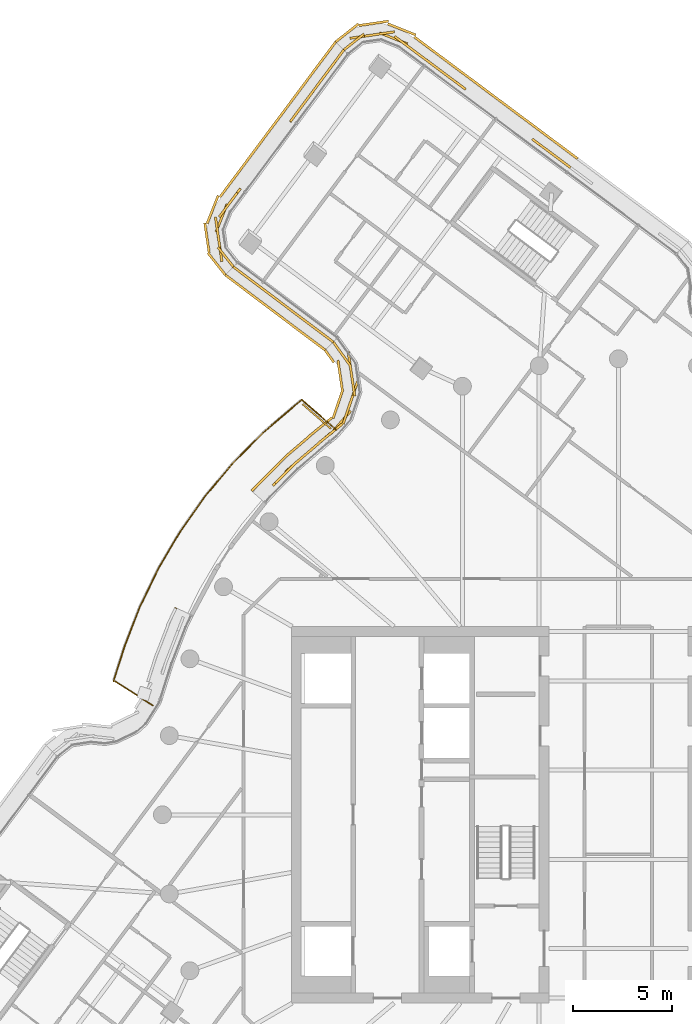
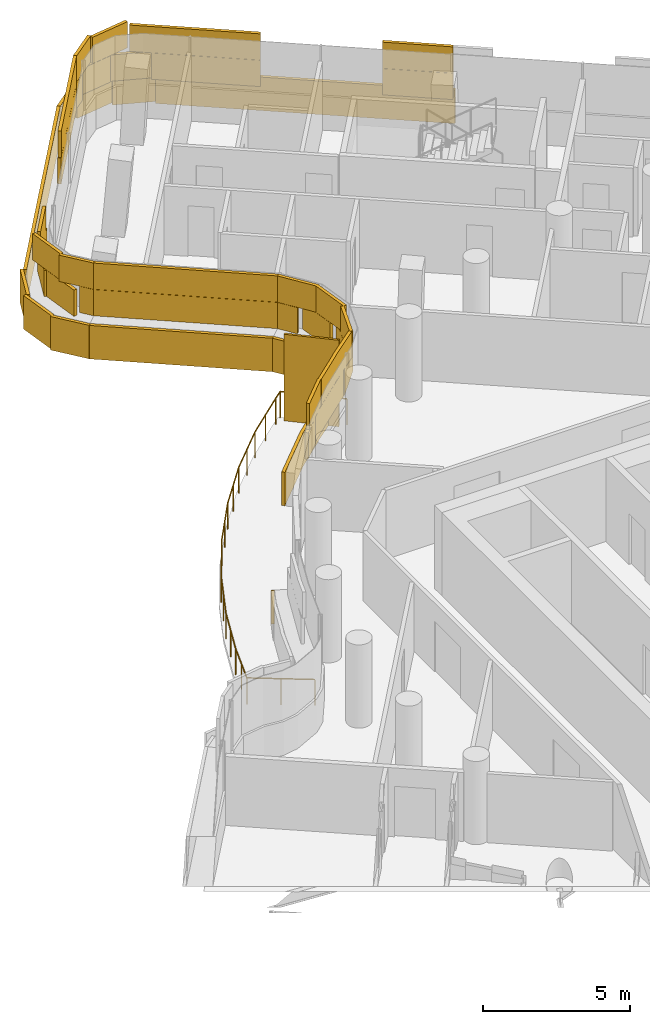
# One storey, part 25 of 27: 4 coverings, 1 railing, 1 shading device.
"""IFC4 building model written with IfcOpenShell, lengths in metres."""

from ifc_helpers import new_model, si_unit, direction, frame, origin, origin_2d, place, context, subcontext, project, spatial, rectangle, circle, extrude, material, layer, layer_set, type_object, element, save


model = new_model("IFC4")

# Units and contexts
model_context = context("Model", 3, precision=1e-05, world=origin(), true_north=direction((0.0, 1.0)))
body_context = subcontext(model_context, "Body", "Model", "MODEL_VIEW")
ifc_project = project(units=[si_unit("LENGTHUNIT", "METRE"), si_unit("AREAUNIT", "SQUARE_METRE"), si_unit("VOLUMEUNIT", "CUBIC_METRE"), si_unit("PLANEANGLEUNIT", "RADIAN"), si_unit("MASSUNIT", "GRAM", prefix="KILO")], contexts=[model_context])

# Site, building, storey
site_placement = place(None, origin())
site = spatial("IfcSite", under=ifc_project, at=site_placement, CompositionType="ELEMENT")
building_placement = place(site_placement, origin())
building = spatial("IfcBuilding", under=site, at=building_placement, Name="Tamarind Cross Interchange Tower", CompositionType="ELEMENT")
storey_placement = place(building_placement, frame((0.0, 0.0, 227.10009765625)))
storey = spatial("IfcBuildingStorey", under=building, at=storey_placement, Name="L57", CompositionType="ELEMENT", Elevation=227.10009765625)

# Railing
ifc_material_1 = material(Name="Stainless steel and laminated glass", Category="steel")
railing_type = type_object("IfcRailingType", Name="Balcony guard", PredefinedType="BALUSTRADE", material=ifc_material_1)
railing_placement = place(storey_placement, frame((-14.216796875, 19.411376953125, 0.0)))
element("IfcRailing", 1, at=railing_placement, inside=storey, type_object=railing_type, Name="Balcony guard 06", PredefinedType="BALUSTRADE", context=body_context, shape_type="SweptSolid", body=[
    extrude(circle(Radius=0.02490234375, at=origin_2d()), frame((0.0, 0.0, 1.0751953125), z_axis=(-0.754639504436, 0.656139633267, 0.0), x_axis=(-0.656139633267, -0.754639504436, 0.0)), (0.0, 0.0, 1.0), 2.320068359375),
    extrude(circle(Radius=0.02490234375, at=origin_2d()), frame((-1.750732421875, 1.522216796875, 1.0751953125), z_axis=(-0.660880367939, -0.750491265287, 0.0), x_axis=(0.750491265287, -0.660880367939, 0.0)), (0.0, 0.0, 1.0), 0.021728515625),
    extrude(circle(Radius=0.02490234375, at=origin_2d()), frame((-1.76513671875, 1.505859375, 1.0751953125), z_axis=(-0.776545693778, -0.630060937906, 0.0), x_axis=(0.630060937906, -0.776545693778, 0.0)), (0.0, 0.0, 1.0), 0.4150390625),
    extrude(circle(Radius=0.02490234375, at=origin_2d()), frame((-2.08740234375, 1.244384765625, 1.0751953125), z_axis=(-0.760326034997, -0.649541623382, 0.0), x_axis=(0.649541623382, -0.760326034997, 0.0)), (0.0, 0.0, 1.0), 2.10888671875),
    extrude(circle(Radius=0.02490234375, at=origin_2d()), frame((-3.69091796875, -0.12548828125, 1.0751953125), z_axis=(-0.704069857635, -0.710130717242, 0.0), x_axis=(0.710130717242, -0.704069857635, 0.0)), (0.0, 0.0, 1.0), 2.17529296875),
    extrude(circle(Radius=0.02490234375, at=origin_2d()), frame((-5.222412109375, -1.670166015625, 1.0751953125), z_axis=(-0.642984125922, -0.765879503455, 0.0), x_axis=(0.765879503455, -0.642984125922, 0.0)), (0.0, 0.0, 1.0), 2.17529296875),
    extrude(circle(Radius=0.02490234375, at=origin_2d()), frame((-6.62109375, -3.336181640625, 1.0751953125), z_axis=(-0.577590617379, -0.81632657602, 0.0), x_axis=(0.81632657602, -0.577590617379, 0.0)), (0.0, 0.0, 1.0), 2.175048828125),
    extrude(circle(Radius=0.02490234375, at=origin_2d()), frame((-7.87744140625, -5.11181640625, 1.0751953125), z_axis=(-0.508226290333, -0.861223570169, 0.0), x_axis=(0.861223570169, -0.508226290333, 0.0)), (0.0, 0.0, 1.0), 2.175048828125),
    extrude(circle(Radius=0.02490234375, at=origin_2d()), frame((-8.98291015625, -6.985107421875, 1.0751953125), z_axis=(-0.435276325285, -0.90029690694, 0.0), x_axis=(0.90029690694, -0.435276325285, 0.0)), (0.0, 0.0, 1.0), 2.175048828125),
    extrude(circle(Radius=0.02490234375, at=origin_2d()), frame((-9.9296875, -8.943359375, 1.0751953125), z_axis=(-0.359451027504, -0.933163950668, 0.0), x_axis=(0.933163950668, -0.359451027504, 0.0)), (0.0, 0.0, 1.0), 2.14892578125),
    extrude(circle(Radius=0.02490234375, at=origin_2d()), frame((-10.7021484375, -10.94873046875, 1.0751953125), z_axis=(-0.30262973868, -0.953108200188, 0.0), x_axis=(0.953108200188, -0.30262973868, 0.0)), (0.0, 0.0, 1.0), 1.80859375),
    extrude(circle(Radius=0.02490234375, at=origin_2d()), frame((-11.24951171875, -12.672607421875, 1.0751953125), z_axis=(0.533992991388, 0.845488903031, 0.0), x_axis=(-0.845488903031, 0.533992991388, 0.0)), (0.0, 0.0, 1.0), 0.032958984375),
    extrude(circle(Radius=0.02490234375, at=origin_2d()), frame((-11.23193359375, -12.644775390625, 1.0751953125), z_axis=(0.844258917491, -0.535935518731, 0.0), x_axis=(0.535935518731, 0.844258917491, 0.0)), (0.0, 0.0, 1.0), 2.320068359375),
    extrude(circle(Radius=0.02001953125, at=origin_2d()), origin(), (0.0, 0.0, 1.0), 1.050048828125),
    extrude(circle(Radius=0.02001953125, at=origin_2d()), frame((-0.87548828125, 0.76123046875, 0.0)), (0.0, 0.0, 1.0), 1.050048828125),
    extrude(circle(Radius=0.02001953125, at=origin_2d()), frame((-1.750732421875, 1.522216796875, 0.0)), (0.0, 0.0, 1.0), 1.050048828125),
    extrude(circle(Radius=0.02001953125, at=origin_2d()), frame((-1.76513671875, 1.505859375, 0.0)), (0.0, 0.0, 1.0), 1.050048828125),
    extrude(circle(Radius=0.02001953125, at=origin_2d()), frame((-2.08740234375, 1.244384765625, 0.0)), (0.0, 0.0, 1.0), 1.050048828125),
    extrude(circle(Radius=0.02001953125, at=origin_2d()), frame((-2.88916015625, 0.5595703125, 0.0)), (0.0, 0.0, 1.0), 1.050048828125),
    extrude(circle(Radius=0.02001953125, at=origin_2d()), frame((-3.69091796875, -0.12548828125, 0.0)), (0.0, 0.0, 1.0), 1.050048828125),
    extrude(circle(Radius=0.02001953125, at=origin_2d()), frame((-4.45654296875, -0.89794921875, 0.0)), (0.0, 0.0, 1.0), 1.050048828125),
    extrude(circle(Radius=0.02001953125, at=origin_2d()), frame((-5.222412109375, -1.670166015625, 0.0)), (0.0, 0.0, 1.0), 1.050048828125),
    extrude(circle(Radius=0.02001953125, at=origin_2d()), frame((-5.921875, -2.503173828125, 0.0)), (0.0, 0.0, 1.0), 1.050048828125),
    extrude(circle(Radius=0.02001953125, at=origin_2d()), frame((-6.62109375, -3.336181640625, 0.0)), (0.0, 0.0, 1.0), 1.050048828125),
    extrude(circle(Radius=0.02001953125, at=origin_2d()), frame((-7.249267578125, -4.22412109375, 0.0)), (0.0, 0.0, 1.0), 1.050048828125),
    extrude(circle(Radius=0.02001953125, at=origin_2d()), frame((-7.87744140625, -5.11181640625, 0.0)), (0.0, 0.0, 1.0), 1.050048828125),
    extrude(circle(Radius=0.02001953125, at=origin_2d()), frame((-8.43017578125, -6.04833984375, 0.0)), (0.0, 0.0, 1.0), 1.050048828125),
    extrude(circle(Radius=0.02001953125, at=origin_2d()), frame((-8.98291015625, -6.985107421875, 0.0)), (0.0, 0.0, 1.0), 1.050048828125),
    extrude(circle(Radius=0.02001953125, at=origin_2d()), frame((-9.456298828125, -7.96435546875, 0.0)), (0.0, 0.0, 1.0), 1.050048828125),
    extrude(circle(Radius=0.02001953125, at=origin_2d()), frame((-9.9296875, -8.943359375, 0.0)), (0.0, 0.0, 1.0), 1.050048828125),
    extrude(circle(Radius=0.02001953125, at=origin_2d()), frame((-10.31591796875, -9.946044921875, 0.0)), (0.0, 0.0, 1.0), 1.050048828125),
    extrude(circle(Radius=0.02001953125, at=origin_2d()), frame((-10.7021484375, -10.94873046875, 0.0)), (0.0, 0.0, 1.0), 1.050048828125),
    extrude(circle(Radius=0.02001953125, at=origin_2d()), frame((-10.975830078125, -11.810546875, 0.0)), (0.0, 0.0, 1.0), 1.050048828125),
    extrude(circle(Radius=0.02001953125, at=origin_2d()), frame((-11.24951171875, -12.672607421875, 0.0)), (0.0, 0.0, 1.0), 1.050048828125),
    extrude(circle(Radius=0.02001953125, at=origin_2d()), frame((-11.23193359375, -12.644775390625, 0.0)), (0.0, 0.0, 1.0), 1.050048828125),
    extrude(circle(Radius=0.02001953125, at=origin_2d()), frame((-10.25244140625, -13.2666015625, 0.0)), (0.0, 0.0, 1.0), 1.050048828125),
    extrude(circle(Radius=0.02001953125, at=origin_2d()), frame((-9.273193359375, -13.88818359375, 0.0)), (0.0, 0.0, 1.0), 1.050048828125),
])

# Shading device
ifc_material_2 = material(Name="Bronze-finish aluminium louvre", Category="aluminium")
ifc_layer_1 = layer(ifc_material_2, 0.080078125)
ifc_layer_set_1 = layer_set([ifc_layer_1], Name="Bronze-finish aluminium louvre")
shading_device_type = type_object("IfcShadingDeviceType", Name="Operable louvre bay", PredefinedType="JALOUSIE", material=ifc_layer_set_1)
shading_device_placement = place(storey_placement, origin())
element("IfcShadingDevice", 2, at=shading_device_placement, inside=storey, type_object=shading_device_type, Name="LVR-L57-BAL06", PredefinedType="JALOUSIE", context=body_context, shape_type="SweptSolid", body=[
    extrude(rectangle(XDim=1.89990234375, YDim=0.080078125, at=origin_2d()), frame((-15.21435546875, 20.09326171875, -0.000244140625), z_axis=(0.0, 0.0, 1.0), x_axis=(-0.754665223305, 0.656110052304, 0.0)), (0.0, 0.0, 1.0), 3.60009765625),
])

# Coverings
ifc_material_3 = material(Name="Terracotta", Category="masonry")
ifc_layer_2 = layer(ifc_material_3, 0.1201171875)
ifc_layer_set_2 = layer_set([ifc_layer_2], Name="Terracotta")
covering_type = type_object("IfcCoveringType", Name="Terracotta baguette screen unit", PredefinedType="MOLDING", material=ifc_layer_set_2)
covering_1_placement = place(storey_placement, origin())
element("IfcCovering", 3, at=covering_1_placement, inside=storey, type_object=covering_type, Name="SCR-L57-03-01", PredefinedType="MOLDING", context=body_context, shape_type="SweptSolid", body=[
    extrude(rectangle(XDim=1.334228515625, YDim=0.1201171875, at=origin_2d()), frame((-2.943603515625, 33.0400390625, 1.40380859375), z_axis=(0.0, 0.0, 1.0), x_axis=(-0.801617072029, 0.597837829041, 0.0)), (0.0, 0.0, 1.0), 1.092041015625),
    extrude(rectangle(XDim=1.091796875, YDim=0.1201171875, at=origin_2d()), frame((-3.907958984375, 33.759033203125, 1.40380859375), z_axis=(0.0, 0.0, 1.0), x_axis=(-0.801617072029, 0.597837829041, 0.0)), (0.0, 0.0, 1.0), 1.092041015625),
    extrude(rectangle(XDim=0.72802734375, YDim=0.1201171875, at=origin_2d()), frame((-7.99609375, 36.80810546875, 1.40380859375), z_axis=(0.0, 0.0, 1.0), x_axis=(-0.801617072029, 0.597837829041, 0.0)), (0.0, 0.0, 1.0), 1.092041015625),
    extrude(rectangle(XDim=1.52001953125, YDim=0.1201171875, at=origin_2d()), frame((-8.88525390625, 37.47119140625, 1.40380859375), z_axis=(0.0, 0.0, 1.0), x_axis=(-0.801617072029, 0.597837829041, 0.0)), (0.0, 0.0, 1.0), 1.092041015625),
    extrude(rectangle(XDim=1.52001953125, YDim=0.1201171875, at=origin_2d()), frame((-10.087646484375, 38.367919921875, 1.40380859375), z_axis=(0.0, 0.0, 1.0), x_axis=(-0.801617072029, 0.597837829041, 0.0)), (0.0, 0.0, 1.0), 1.092041015625),
    extrude(rectangle(XDim=1.52001953125, YDim=0.1201171875, at=origin_2d()), frame((-11.345458984375, 39.16552734375, 1.40380859375), z_axis=(0.0, 0.0, 1.0), x_axis=(-0.929034448705, 0.369993233883, 0.0)), (0.0, 0.0, 1.0), 1.092041015625),
    extrude(rectangle(XDim=1.52001953125, YDim=0.1201171875, at=origin_2d()), frame((-12.79150390625, 39.276123046875, 1.40380859375), z_axis=(0.0, 0.0, 1.0), x_axis=(-0.989564050511, -0.144093684582, 0.0)), (0.0, 0.0, 1.0), 1.092041015625),
    extrude(rectangle(XDim=0.550537109375, YDim=0.1201171875, at=origin_2d()), frame((-13.63720703125, 38.748291015625, 1.40380859375), z_axis=(0.0, 0.0, 1.0), x_axis=(-0.784940764123, -0.619570816628, 0.0)), (0.0, 0.0, 1.0), 1.092041015625),
    extrude(rectangle(XDim=0.584228515625, YDim=0.1201171875, at=origin_2d()), frame((-2.64306640625, 32.815673828125, 2.50390625), z_axis=(0.0, 0.0, 1.0), x_axis=(-0.801617072029, 0.597837829041, 0.0)), (0.0, 0.0, 1.0), 1.092041015625),
    extrude(rectangle(XDim=1.52001953125, YDim=0.1201171875, at=origin_2d()), frame((-3.474365234375, 33.435791015625, 2.50390625), z_axis=(0.0, 0.0, 1.0), x_axis=(-0.801617072029, 0.597837829041, 0.0)), (0.0, 0.0, 1.0), 1.092041015625),
    extrude(rectangle(XDim=0.341796875, YDim=0.1201171875, at=origin_2d()), frame((-4.20849609375, 33.9833984375, 2.50390625), z_axis=(0.0, 0.0, 1.0), x_axis=(-0.801617072029, 0.597837829041, 0.0)), (0.0, 0.0, 1.0), 1.092041015625),
    extrude(rectangle(XDim=1.47802734375, YDim=0.1201171875, at=origin_2d()), frame((-8.296875, 37.0322265625, 2.50390625), z_axis=(0.0, 0.0, 1.0), x_axis=(-0.801617072029, 0.597837829041, 0.0)), (0.0, 0.0, 1.0), 1.092041015625),
    extrude(rectangle(XDim=1.52001953125, YDim=0.1201171875, at=origin_2d()), frame((-9.486572265625, 37.91943359375, 2.50390625), z_axis=(0.0, 0.0, 1.0), x_axis=(-0.801617072029, 0.597837829041, 0.0)), (0.0, 0.0, 1.0), 1.092041015625),
    extrude(rectangle(XDim=1.52001953125, YDim=0.1201171875, at=origin_2d()), frame((-10.68896484375, 38.816162109375, 2.50390625), z_axis=(0.0, 0.0, 1.0), x_axis=(-0.801617072029, 0.597837829041, 0.0)), (0.0, 0.0, 1.0), 1.092041015625),
    extrude(rectangle(XDim=1.52001953125, YDim=0.1201171875, at=origin_2d()), frame((-12.04931640625, 39.38427734375, 2.50390625), z_axis=(0.0, 0.0, 1.0), x_axis=(-0.989564050511, -0.144093684582, 0.0)), (0.0, 0.0, 1.0), 1.092041015625),
    extrude(rectangle(XDim=1.300537109375, YDim=0.1201171875, at=origin_2d()), frame((-13.3427734375, 38.980712890625, 2.50390625), z_axis=(0.0, 0.0, 1.0), x_axis=(-0.784940764123, -0.619570816628, 0.0)), (0.0, 0.0, 1.0), 1.092041015625),
    extrude(rectangle(XDim=1.27490234375, YDim=0.1201171875, at=origin_2d()), frame((-2.568359375, 33.476318359375, 0.00390625), z_axis=(0.0, 0.0, 1.0), x_axis=(-0.801617072029, 0.597837829041, 0.0)), (0.0, 0.0, 1.0), 1.39208984375),
    extrude(rectangle(XDim=1.52001953125, YDim=0.1201171875, at=origin_2d()), frame((-3.672607421875, 34.2998046875, 0.00390625), z_axis=(0.0, 0.0, 1.0), x_axis=(-0.801617072029, 0.597837829041, 0.0)), (0.0, 0.0, 1.0), 1.39208984375),
    extrude(rectangle(XDim=1.52001953125, YDim=0.1201171875, at=origin_2d()), frame((-4.875, 35.196533203125, 0.00390625), z_axis=(0.0, 0.0, 1.0), x_axis=(-0.801617072029, 0.597837829041, 0.0)), (0.0, 0.0, 1.0), 1.39208984375),
    extrude(rectangle(XDim=1.52001953125, YDim=0.1201171875, at=origin_2d()), frame((-6.07763671875, 36.09326171875, 0.00390625), z_axis=(0.0, 0.0, 1.0), x_axis=(-0.801617072029, 0.597837829041, 0.0)), (0.0, 0.0, 1.0), 1.39208984375),
    extrude(rectangle(XDim=1.52001953125, YDim=0.1201171875, at=origin_2d()), frame((-7.280029296875, 36.989990234375, 0.00390625), z_axis=(0.0, 0.0, 1.0), x_axis=(-0.801617072029, 0.597837829041, 0.0)), (0.0, 0.0, 1.0), 1.39208984375),
    extrude(rectangle(XDim=1.52001953125, YDim=0.1201171875, at=origin_2d()), frame((-8.482421875, 37.88671875, 0.00390625), z_axis=(0.0, 0.0, 1.0), x_axis=(-0.801617072029, 0.597837829041, 0.0)), (0.0, 0.0, 1.0), 1.39208984375),
    extrude(rectangle(XDim=1.52001953125, YDim=0.1201171875, at=origin_2d()), frame((-9.684814453125, 38.783447265625, 0.00390625), z_axis=(0.0, 0.0, 1.0), x_axis=(-0.801617072029, 0.597837829041, 0.0)), (0.0, 0.0, 1.0), 1.39208984375),
    extrude(rectangle(XDim=1.52001953125, YDim=0.1201171875, at=origin_2d()), frame((-10.923583984375, 39.615234375, 0.00390625), z_axis=(0.0, 0.0, 1.0), x_axis=(-0.929034448705, 0.369993233883, 0.0)), (0.0, 0.0, 1.0), 1.39208984375),
    extrude(rectangle(XDim=1.52001953125, YDim=0.1201171875, at=origin_2d()), frame((-12.346435546875, 39.921142578125, 0.00390625), z_axis=(0.0, 0.0, 1.0), x_axis=(-0.989564050511, -0.144093684582, 0.0)), (0.0, 0.0, 1.0), 1.39208984375),
    extrude(rectangle(XDim=1.467041015625, YDim=0.1201171875, at=origin_2d()), frame((-13.6884765625, 39.439208984375, 0.00390625), z_axis=(0.0, 0.0, 1.0), x_axis=(-0.784940764123, -0.619570816628, 0.0)), (0.0, 0.0, 1.0), 1.39208984375),
])
covering_2_placement = place(storey_placement, origin())
element("IfcCovering", 4, at=covering_2_placement, inside=storey, type_object=covering_type, Name="SCR-L57-04-00", PredefinedType="MOLDING", context=body_context, shape_type="SweptSolid", body=[
    extrude(rectangle(XDim=0.760009765625, YDim=0.1201171875, at=origin_2d()), frame((-14.073486328125, 38.2802734375, 1.40380859375), z_axis=(0.0, 0.0, 1.0), x_axis=(-0.597837829041, -0.801617072029, 0.0)), (0.0, 0.0, 1.0), 1.092041015625),
    extrude(rectangle(XDim=1.52001953125, YDim=0.1201171875, at=origin_2d()), frame((-14.74609375, 37.37841796875, 1.40380859375), z_axis=(0.0, 0.0, 1.0), x_axis=(-0.597837829041, -0.801617072029, 0.0)), (0.0, 0.0, 1.0), 1.092041015625),
    extrude(rectangle(XDim=1.52001953125, YDim=0.1201171875, at=origin_2d()), frame((-15.642822265625, 36.176025390625, 1.40380859375), z_axis=(0.0, 0.0, 1.0), x_axis=(-0.597837829041, -0.801617072029, 0.0)), (0.0, 0.0, 1.0), 1.092041015625),
    extrude(rectangle(XDim=0.78466796875, YDim=0.1201171875, at=origin_2d()), frame((-16.32275390625, 35.264404296875, 1.40380859375), z_axis=(0.0, 0.0, 1.0), x_axis=(-0.597837829041, -0.801617072029, 0.0)), (0.0, 0.0, 1.0), 1.092041015625),
    extrude(rectangle(XDim=1.03515625, YDim=0.1201171875, at=origin_2d()), frame((-19.371826171875, 31.176025390625, 1.40380859375), z_axis=(0.0, 0.0, 1.0), x_axis=(-0.597837829041, -0.801617072029, 0.0)), (0.0, 0.0, 1.0), 1.092041015625),
    extrude(rectangle(XDim=1.52001953125, YDim=0.1201171875, at=origin_2d()), frame((-20.01806640625, 30.103271484375, 1.40380859375), z_axis=(0.0, 0.0, 1.0), x_axis=(-0.369993233883, -0.929034448705, 0.0)), (0.0, 0.0, 1.0), 1.092041015625),
    extrude(rectangle(XDim=1.52001953125, YDim=0.1201171875, at=origin_2d()), frame((-20.10791015625, 28.65478515625, 1.40380859375), z_axis=(0.0, 0.0, 1.0), x_axis=(0.144093684582, -0.989564050511, 0.0)), (0.0, 0.0, 1.0), 1.092041015625),
    extrude(rectangle(XDim=0.509521484375, YDim=0.1201171875, at=origin_2d()), frame((-19.5732421875, 27.833740234375, 1.40380859375), z_axis=(0.0, 0.0, 1.0), x_axis=(0.619570816628, -0.784940764123, 0.0)), (0.0, 0.0, 1.0), 1.092041015625),
    extrude(rectangle(XDim=1.510009765625, YDim=0.1201171875, at=origin_2d()), frame((-14.2978515625, 37.979736328125, 2.50390625), z_axis=(0.0, 0.0, 1.0), x_axis=(-0.597837829041, -0.801617072029, 0.0)), (0.0, 0.0, 1.0), 1.092041015625),
    extrude(rectangle(XDim=1.52001953125, YDim=0.1201171875, at=origin_2d()), frame((-15.194580078125, 36.77734375, 2.50390625), z_axis=(0.0, 0.0, 1.0), x_axis=(-0.597837829041, -0.801617072029, 0.0)), (0.0, 0.0, 1.0), 1.092041015625),
    extrude(rectangle(XDim=1.52001953125, YDim=0.1201171875, at=origin_2d()), frame((-16.09130859375, 35.574951171875, 2.50390625), z_axis=(0.0, 0.0, 1.0), x_axis=(-0.597837829041, -0.801617072029, 0.0)), (0.0, 0.0, 1.0), 1.092041015625),
    extrude(rectangle(XDim=1.52001953125, YDim=0.1201171875, at=origin_2d()), frame((-19.67822265625, 30.76513671875, 2.50390625), z_axis=(0.0, 0.0, 1.0), x_axis=(-0.597837829041, -0.801617072029, 0.0)), (0.0, 0.0, 1.0), 1.092041015625),
    extrude(rectangle(XDim=1.52001953125, YDim=0.1201171875, at=origin_2d()), frame((-20.2158203125, 29.39697265625, 2.50390625), z_axis=(0.0, 0.0, 1.0), x_axis=(0.144093684582, -0.989564050511, 0.0)), (0.0, 0.0, 1.0), 1.092041015625),
    extrude(rectangle(XDim=1.259521484375, YDim=0.1201171875, at=origin_2d()), frame((-19.8056640625, 28.1279296875, 2.50390625), z_axis=(0.0, 0.0, 1.0), x_axis=(0.619570816628, -0.784940764123, 0.0)), (0.0, 0.0, 1.0), 1.092041015625),
    extrude(rectangle(XDim=0.760009765625, YDim=0.1201171875, at=origin_2d()), frame((-14.491455078125, 38.679931640625, 0.00390625), z_axis=(0.0, 0.0, 1.0), x_axis=(-0.597837829041, -0.801617072029, 0.0)), (0.0, 0.0, 1.0), 1.39208984375),
    extrude(rectangle(XDim=1.52001953125, YDim=0.1201171875, at=origin_2d()), frame((-15.1611328125, 37.7822265625, 0.00390625), z_axis=(0.0, 0.0, 1.0), x_axis=(-0.597837829041, -0.801617072029, 0.0)), (0.0, 0.0, 1.0), 1.39208984375),
    extrude(rectangle(XDim=1.52001953125, YDim=0.1201171875, at=origin_2d()), frame((-16.057861328125, 36.579833984375, 0.00390625), z_axis=(0.0, 0.0, 1.0), x_axis=(-0.597837829041, -0.801617072029, 0.0)), (0.0, 0.0, 1.0), 1.39208984375),
    extrude(rectangle(XDim=1.52001953125, YDim=0.1201171875, at=origin_2d()), frame((-16.95458984375, 35.37744140625, 0.00390625), z_axis=(0.0, 0.0, 1.0), x_axis=(-0.597837829041, -0.801617072029, 0.0)), (0.0, 0.0, 1.0), 1.39208984375),
    extrude(rectangle(XDim=1.52001953125, YDim=0.1201171875, at=origin_2d()), frame((-17.851318359375, 34.175048828125, 0.00390625), z_axis=(0.0, 0.0, 1.0), x_axis=(-0.597837829041, -0.801617072029, 0.0)), (0.0, 0.0, 1.0), 1.39208984375),
    extrude(rectangle(XDim=1.52001953125, YDim=0.1201171875, at=origin_2d()), frame((-18.748046875, 32.972412109375, 0.00390625), z_axis=(0.0, 0.0, 1.0), x_axis=(-0.597837829041, -0.801617072029, 0.0)), (0.0, 0.0, 1.0), 1.39208984375),
    extrude(rectangle(XDim=1.52001953125, YDim=0.1201171875, at=origin_2d()), frame((-19.644775390625, 31.77001953125, 0.00390625), z_axis=(0.0, 0.0, 1.0), x_axis=(-0.597837829041, -0.801617072029, 0.0)), (0.0, 0.0, 1.0), 1.39208984375),
    extrude(rectangle(XDim=1.52001953125, YDim=0.1201171875, at=origin_2d()), frame((-20.467529296875, 30.526123046875, 0.00390625), z_axis=(0.0, 0.0, 1.0), x_axis=(-0.369993233883, -0.929034448705, 0.0)), (0.0, 0.0, 1.0), 1.39208984375),
    extrude(rectangle(XDim=1.52001953125, YDim=0.1201171875, at=origin_2d()), frame((-20.7529296875, 29.100830078125, 0.00390625), z_axis=(0.0, 0.0, 1.0), x_axis=(0.144093684582, -0.989564050511, 0.0)), (0.0, 0.0, 1.0), 1.39208984375),
    extrude(rectangle(XDim=1.42578125, YDim=0.1201171875, at=origin_2d()), frame((-20.2646484375, 27.783203125, 0.00390625), z_axis=(0.0, 0.0, 1.0), x_axis=(0.619570816628, -0.784940764123, 0.0)), (0.0, 0.0, 1.0), 1.39208984375),
])
covering_3_placement = place(storey_placement, origin())
element("IfcCovering", 5, at=covering_3_placement, inside=storey, type_object=covering_type, Name="SCR-L57-05-00", PredefinedType="MOLDING", context=body_context, shape_type="SweptSolid", body=[
    extrude(rectangle(XDim=0.760009765625, YDim=0.1201171875, at=origin_2d()), frame((-19.118896484375, 27.412109375, 1.40380859375), z_axis=(0.0, 0.0, 1.0), x_axis=(0.799011363988, -0.601315923802, 0.0)), (0.0, 0.0, 1.0), 1.092041015625),
    extrude(rectangle(XDim=1.52001953125, YDim=0.1201171875, at=origin_2d()), frame((-18.219970703125, 26.735595703125, 1.40380859375), z_axis=(0.0, 0.0, 1.0), x_axis=(0.799011363988, -0.601315923802, 0.0)), (0.0, 0.0, 1.0), 1.092041015625),
    extrude(rectangle(XDim=1.52001953125, YDim=0.1201171875, at=origin_2d()), frame((-17.021484375, 25.833740234375, 1.40380859375), z_axis=(0.0, 0.0, 1.0), x_axis=(0.799011363988, -0.601315923802, 0.0)), (0.0, 0.0, 1.0), 1.092041015625),
    extrude(rectangle(XDim=1.52001953125, YDim=0.1201171875, at=origin_2d()), frame((-15.822998046875, 24.931640625, 1.40380859375), z_axis=(0.0, 0.0, 1.0), x_axis=(0.799011363988, -0.601315923802, 0.0)), (0.0, 0.0, 1.0), 1.092041015625),
    extrude(rectangle(XDim=1.0654296875, YDim=0.1201171875, at=origin_2d()), frame((-14.802001953125, 24.163330078125, 1.40380859375), z_axis=(0.0, 0.0, 1.0), x_axis=(0.799011363988, -0.601315923802, 0.0)), (0.0, 0.0, 1.0), 1.092041015625),
    extrude(rectangle(XDim=1.510009765625, YDim=0.1201171875, at=origin_2d()), frame((-18.8193359375, 27.1865234375, 2.50390625), z_axis=(0.0, 0.0, 1.0), x_axis=(0.799011363988, -0.601315923802, 0.0)), (0.0, 0.0, 1.0), 1.092041015625),
    extrude(rectangle(XDim=1.52001953125, YDim=0.1201171875, at=origin_2d()), frame((-17.620849609375, 26.28466796875, 2.50390625), z_axis=(0.0, 0.0, 1.0), x_axis=(0.799011363988, -0.601315923802, 0.0)), (0.0, 0.0, 1.0), 1.092041015625),
    extrude(rectangle(XDim=1.52001953125, YDim=0.1201171875, at=origin_2d()), frame((-16.42236328125, 25.382568359375, 2.50390625), z_axis=(0.0, 0.0, 1.0), x_axis=(0.799011363988, -0.601315923802, 0.0)), (0.0, 0.0, 1.0), 1.092041015625),
    extrude(rectangle(XDim=1.52001953125, YDim=0.1201171875, at=origin_2d()), frame((-15.2236328125, 24.480712890625, 2.50390625), z_axis=(0.0, 0.0, 1.0), x_axis=(0.799011363988, -0.601315923802, 0.0)), (0.0, 0.0, 1.0), 1.092041015625),
    extrude(rectangle(XDim=0.3154296875, YDim=0.1201171875, at=origin_2d()), frame((-14.50244140625, 23.937744140625, 2.50390625), z_axis=(0.0, 0.0, 1.0), x_axis=(0.799011363988, -0.601315923802, 0.0)), (0.0, 0.0, 1.0), 1.092041015625),
    extrude(rectangle(XDim=0.760009765625, YDim=0.1201171875, at=origin_2d()), frame((-19.51953125, 26.9951171875, 0.00390625), z_axis=(0.0, 0.0, 1.0), x_axis=(0.799011363988, -0.601315923802, 0.0)), (0.0, 0.0, 1.0), 1.39208984375),
    extrude(rectangle(XDim=1.52001953125, YDim=0.1201171875, at=origin_2d()), frame((-18.62451171875, 26.32177734375, 0.00390625), z_axis=(0.0, 0.0, 1.0), x_axis=(0.799011363988, -0.601315923802, 0.0)), (0.0, 0.0, 1.0), 1.39208984375),
    extrude(rectangle(XDim=1.52001953125, YDim=0.1201171875, at=origin_2d()), frame((-17.426025390625, 25.419677734375, 0.00390625), z_axis=(0.0, 0.0, 1.0), x_axis=(0.799011363988, -0.601315923802, 0.0)), (0.0, 0.0, 1.0), 1.39208984375),
    extrude(rectangle(XDim=1.52001953125, YDim=0.1201171875, at=origin_2d()), frame((-16.2275390625, 24.517822265625, 0.00390625), z_axis=(0.0, 0.0, 1.0), x_axis=(0.799011363988, -0.601315923802, 0.0)), (0.0, 0.0, 1.0), 1.39208984375),
    extrude(rectangle(XDim=1.05224609375, YDim=0.1201171875, at=origin_2d()), frame((-15.2158203125, 23.75634765625, 0.00390625), z_axis=(0.0, 0.0, 1.0), x_axis=(0.799011363988, -0.601315923802, 0.0)), (0.0, 0.0, 1.0), 1.39208984375),
])
covering_4_placement = place(storey_placement, origin())
element("IfcCovering", 6, at=covering_4_placement, inside=storey, type_object=covering_type, Name="SCR-L57-06-00", PredefinedType="MOLDING", context=body_context, shape_type="SweptSolid", body=[
    extrude(rectangle(XDim=0.760009765625, YDim=0.1201171875, at=origin_2d()), frame((-14.16162109375, 23.54150390625, 1.40380859375), z_axis=(0.0, 0.0, 1.0), x_axis=(0.583664664645, -0.811994802474, 0.0)), (0.0, 0.0, 1.0), 1.092041015625),
    extrude(rectangle(XDim=1.52001953125, YDim=0.1201171875, at=origin_2d()), frame((-13.52294921875, 22.62060546875, 1.40380859375), z_axis=(0.0, 0.0, 1.0), x_axis=(0.146355768334, -0.989232019839, 0.0)), (0.0, 0.0, 1.0), 1.092041015625),
    extrude(rectangle(XDim=1.52001953125, YDim=0.1201171875, at=origin_2d()), frame((-13.400146484375, 21.1455078125, 1.40380859375), z_axis=(0.0, 0.0, 1.0), x_axis=(-0.317698956021, -0.948191633238, 0.0)), (0.0, 0.0, 1.0), 1.092041015625),
    extrude(rectangle(XDim=1.52001953125, YDim=0.1201171875, at=origin_2d()), frame((-14.002685546875, 19.795166015625, 1.40380859375), z_axis=(0.0, 0.0, 1.0), x_axis=(-0.656110052304, -0.754665223305, 0.0)), (0.0, 0.0, 1.0), 1.092041015625),
    extrude(rectangle(XDim=1.52001953125, YDim=0.1201171875, at=origin_2d()), frame((-15.085205078125, 18.764404296875, 1.40380859375), z_axis=(0.0, 0.0, 1.0), x_axis=(-0.760295606781, -0.64957723968, 0.0)), (0.0, 0.0, 1.0), 1.092041015625),
    extrude(rectangle(XDim=1.52001953125, YDim=0.1201171875, at=origin_2d()), frame((-16.2255859375, 17.7900390625, 1.40380859375), z_axis=(0.0, 0.0, 1.0), x_axis=(-0.760295606781, -0.64957723968, 0.0)), (0.0, 0.0, 1.0), 1.092041015625),
    extrude(rectangle(XDim=0.945556640625, YDim=0.1201171875, at=origin_2d()), frame((-17.09521484375, 16.938232421875, 1.40380859375), z_axis=(0.0, 0.0, 1.0), x_axis=(-0.704057148523, -0.710143317658, 0.0)), (0.0, 0.0, 1.0), 1.092041015625),
    extrude(rectangle(XDim=1.510009765625, YDim=0.1201171875, at=origin_2d()), frame((-13.942626953125, 23.237060546875, 2.50390625), z_axis=(0.0, 0.0, 1.0), x_axis=(0.583664664645, -0.811994802474, 0.0)), (0.0, 0.0, 1.0), 1.092041015625),
    extrude(rectangle(XDim=1.52001953125, YDim=0.1201171875, at=origin_2d()), frame((-13.4130859375, 21.878662109375, 2.50390625), z_axis=(0.0, 0.0, 1.0), x_axis=(0.146355768334, -0.989232019839, 0.0)), (0.0, 0.0, 1.0), 1.092041015625),
    extrude(rectangle(XDim=1.52001953125, YDim=0.1201171875, at=origin_2d()), frame((-13.638427734375, 20.434326171875, 2.50390625), z_axis=(0.0, 0.0, 1.0), x_axis=(-0.317698956021, -0.948191633238, 0.0)), (0.0, 0.0, 1.0), 1.092041015625),
    extrude(rectangle(XDim=1.52001953125, YDim=0.1201171875, at=origin_2d()), frame((-14.507080078125, 19.241943359375, 2.50390625), z_axis=(0.0, 0.0, 1.0), x_axis=(-0.776759785248, -0.629796980003, 0.0)), (0.0, 0.0, 1.0), 1.092041015625),
    extrude(rectangle(XDim=1.52001953125, YDim=0.1201171875, at=origin_2d()), frame((-15.655517578125, 18.277099609375, 2.50390625), z_axis=(0.0, 0.0, 1.0), x_axis=(-0.760295606781, -0.64957723968, 0.0)), (0.0, 0.0, 1.0), 1.092041015625),
    extrude(rectangle(XDim=1.52001953125, YDim=0.1201171875, at=origin_2d()), frame((-16.765869140625, 17.270263671875, 2.50390625), z_axis=(0.0, 0.0, 1.0), x_axis=(-0.704057148523, -0.710143317658, 0.0)), (0.0, 0.0, 1.0), 1.092041015625),
    extrude(rectangle(XDim=0.760009765625, YDim=0.1201171875, at=origin_2d()), frame((-14.57373046875, 23.13134765625, 0.00390625), z_axis=(0.0, 0.0, 1.0), x_axis=(0.583664664645, -0.811994802474, 0.0)), (0.0, 0.0, 1.0), 1.39208984375),
    extrude(rectangle(XDim=1.52001953125, YDim=0.1201171875, at=origin_2d()), frame((-14.037109375, 22.174560546875, 0.00390625), z_axis=(0.0, 0.0, 1.0), x_axis=(0.146355768334, -0.989232019839, 0.0)), (0.0, 0.0, 1.0), 1.39208984375),
    extrude(rectangle(XDim=1.52001953125, YDim=0.1201171875, at=origin_2d()), frame((-14.148193359375, 20.7197265625, 0.00390625), z_axis=(0.0, 0.0, 1.0), x_axis=(-0.317698956021, -0.948191633238, 0.0)), (0.0, 0.0, 1.0), 1.39208984375),
    extrude(rectangle(XDim=1.52001953125, YDim=0.1201171875, at=origin_2d()), frame((-15.0390625, 19.5498046875, 0.00390625), z_axis=(0.0, 0.0, 1.0), x_axis=(-0.776759785248, -0.629796980003, 0.0)), (0.0, 0.0, 1.0), 1.39208984375),
    extrude(rectangle(XDim=1.52001953125, YDim=0.1201171875, at=origin_2d()), frame((-16.183837890625, 18.58056640625, 0.00390625), z_axis=(0.0, 0.0, 1.0), x_axis=(-0.760295606781, -0.64957723968, 0.0)), (0.0, 0.0, 1.0), 1.39208984375),
    extrude(rectangle(XDim=1.52001953125, YDim=0.1201171875, at=origin_2d()), frame((-17.283935546875, 17.56298828125, 0.00390625), z_axis=(0.0, 0.0, 1.0), x_axis=(-0.704057148523, -0.710143317658, 0.0)), (0.0, 0.0, 1.0), 1.39208984375),
    extrude(rectangle(XDim=0.99267578125, YDim=0.1201171875, at=origin_2d()), frame((-18.154541015625, 16.68505859375, 0.00390625), z_axis=(0.0, 0.0, 1.0), x_axis=(-0.704057148523, -0.710143317658, 0.0)), (0.0, 0.0, 1.0), 1.39208984375),
    extrude(rectangle(XDim=0.03076171875, YDim=0.1201171875, at=origin_2d()), frame((-22.326171875, 10.428466796875, 0.00390625), z_axis=(0.0, 0.0, 1.0), x_axis=(-0.435326231914, -0.900272776334, 0.0)), (0.0, 0.0, 1.0), 1.39208984375),
])

save(model, "model.ifc")
